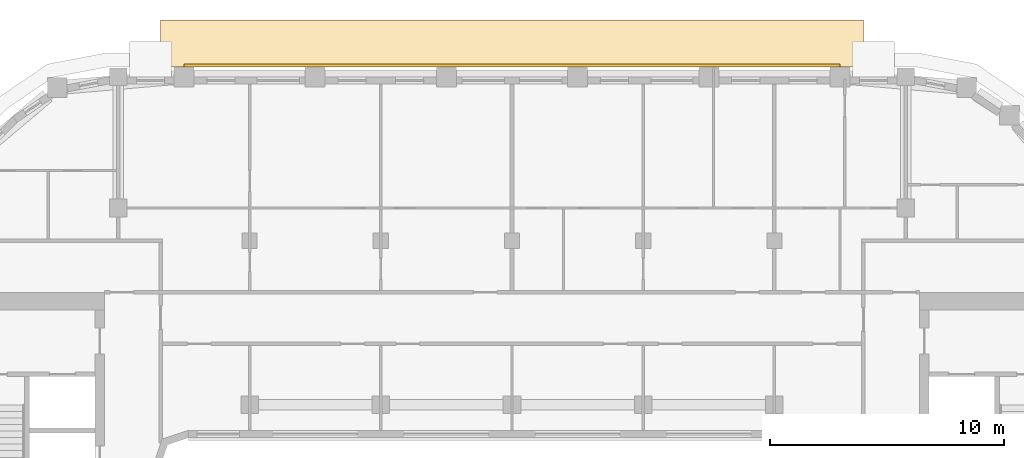
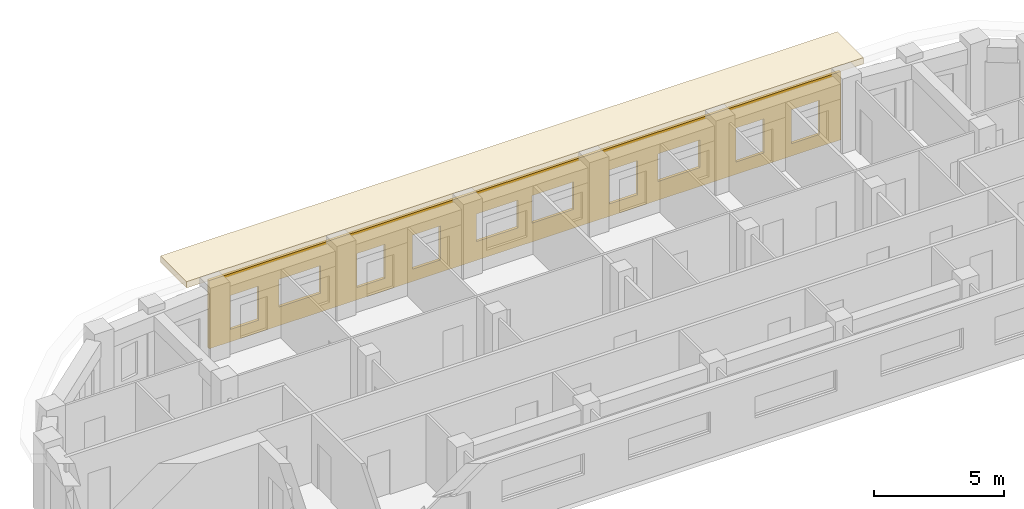
# One storey, part 20 of 21: 2 coverings.
"""IFC4 building model written with IfcOpenShell, lengths in metres."""

from ifc_helpers import new_model, si_unit, direction, frame, origin, place, context, subcontext, project, spatial, polyline, outline, extrude, material, layer, layer_set, type_object, element, save


model = new_model("IFC4")

# Units and contexts
model_context = context("Model", 3, precision=1e-05, world=origin(), true_north=direction((0.0, 1.0)))
body_context = subcontext(model_context, "Body", "Model", "MODEL_VIEW")
ifc_project = project(units=[si_unit("LENGTHUNIT", "METRE"), si_unit("AREAUNIT", "SQUARE_METRE"), si_unit("VOLUMEUNIT", "CUBIC_METRE"), si_unit("PLANEANGLEUNIT", "RADIAN"), si_unit("MASSUNIT", "GRAM", prefix="KILO")], contexts=[model_context])

# Site, building, storey
site_placement = place(None, origin())
site = spatial("IfcSite", under=ifc_project, at=site_placement, CompositionType="ELEMENT")
building_placement = place(site_placement, origin())
building = spatial("IfcBuilding", under=site, at=building_placement, Name="Kiln Ring Residences", CompositionType="ELEMENT")
storey_placement = place(building_placement, frame((0.0, 0.0, 220.39990234375)))
storey = spatial("IfcBuildingStorey", under=building, at=storey_placement, Name="L57", CompositionType="ELEMENT", Elevation=220.39990234375)

# Coverings
ifc_material_1 = material(Name="Brick masonry, dark clay brick", Category="masonry")
ifc_layer_1 = layer(ifc_material_1, 0.1201171875)
ifc_layer_set_1 = layer_set([ifc_layer_1], Name="RAINSCREEN PANEL 120")
covering_type_1 = type_object("IfcCoveringType", Name="RAINSCREEN PANEL 120", PredefinedType="CLADDING", material=ifc_layer_set_1)
covering_1_placement = place(storey_placement, frame((14.0, 22.885009765625, 0.0), z_axis=(0.0, 0.0, 1.0), x_axis=(-1.0, 0.0, 0.0)))
element("IfcCovering", 1, at=covering_1_placement, inside=storey, type_object=covering_type_1, Name="RAINSCREEN L57", PredefinedType="CLADDING", context=body_context, shape_type="SweptSolid", body=[
    extrude(outline(polyline([(0.0, 0.0), (28.0, 0.0), (28.0, 3.2001953125), (0.0, 3.2001953125), (0.0, 0.0)]), holes=[polyline([(0.955078125, 0.580078125), (2.195068359375, 0.580078125), (2.195068359375, 2.170166015625), (0.955078125, 2.170166015625), (0.955078125, 0.580078125)]), polyline([(3.405029296875, 0.580078125), (4.64501953125, 0.580078125), (4.64501953125, 2.170166015625), (3.405029296875, 2.170166015625), (3.405029296875, 0.580078125)]), polyline([(9.0048828125, 0.580078125), (10.2451171875, 0.580078125), (10.2451171875, 2.170166015625), (9.0048828125, 2.170166015625), (9.0048828125, 0.580078125)]), polyline([(17.7548828125, 2.170166015625), (17.7548828125, 0.580078125), (18.9951171875, 0.580078125), (18.9951171875, 2.170166015625), (17.7548828125, 2.170166015625)]), polyline([(20.205078125, 2.170166015625), (20.205078125, 0.580078125), (21.445068359375, 0.580078125), (21.445068359375, 2.170166015625), (20.205078125, 2.170166015625)]), polyline([(25.804931640625, 0.580078125), (27.044921875, 0.580078125), (27.044921875, 2.170166015625), (25.804931640625, 2.170166015625), (25.804931640625, 0.580078125)]), polyline([(6.2548828125, 0.880126953125), (8.094970703125, 0.880126953125), (8.094970703125, 2.170166015625), (6.2548828125, 2.170166015625), (6.2548828125, 0.880126953125)]), polyline([(11.85498046875, 0.880126953125), (13.695068359375, 0.880126953125), (13.695068359375, 2.170166015625), (11.85498046875, 2.170166015625), (11.85498046875, 0.880126953125)]), polyline([(14.304931640625, 2.170166015625), (14.304931640625, 0.880126953125), (16.14501953125, 0.880126953125), (16.14501953125, 2.170166015625), (14.304931640625, 2.170166015625)]), polyline([(23.054931640625, 2.170166015625), (23.054931640625, 0.880126953125), (24.89501953125, 0.880126953125), (24.89501953125, 2.170166015625), (23.054931640625, 2.170166015625)])]), frame((0.0, 0.06005859375, 0.0), z_axis=(0.0, -1.0, 0.0), x_axis=(1.0, 0.0, 0.0)), (0.0, 0.0, 1.0), 0.1201171875),
])
ifc_material_2 = material(Name="Black powder-coated steel", Category="steel")
ifc_layer_2 = layer(ifc_material_2, 0.300048828125)
ifc_layer_set_2 = layer_set([ifc_layer_2], Name="SUNSHADE BAND 2000")
covering_type_2 = type_object("IfcCoveringType", Name="SUNSHADE BAND 2000", PredefinedType="CLADDING", material=ifc_layer_set_2)
covering_2_placement = place(storey_placement, frame((0.0, 0.0, 3.2001953125)))
element("IfcCovering", 2, at=covering_2_placement, inside=storey, type_object=covering_type_2, Name="SUNSHADE BAND L57", PredefinedType="CLADDING", context=body_context, shape_type="SweptSolid", body=[
    extrude(outline(polyline([(15.0, 24.824951171875), (-15.0, 24.824951171875), (-15.0, 22.824951171875), (15.0, 22.824951171875), (15.0, 24.824951171875)])), origin(), (0.0, 0.0, 1.0), 0.2998046875),
])

save(model, "model.ifc")
